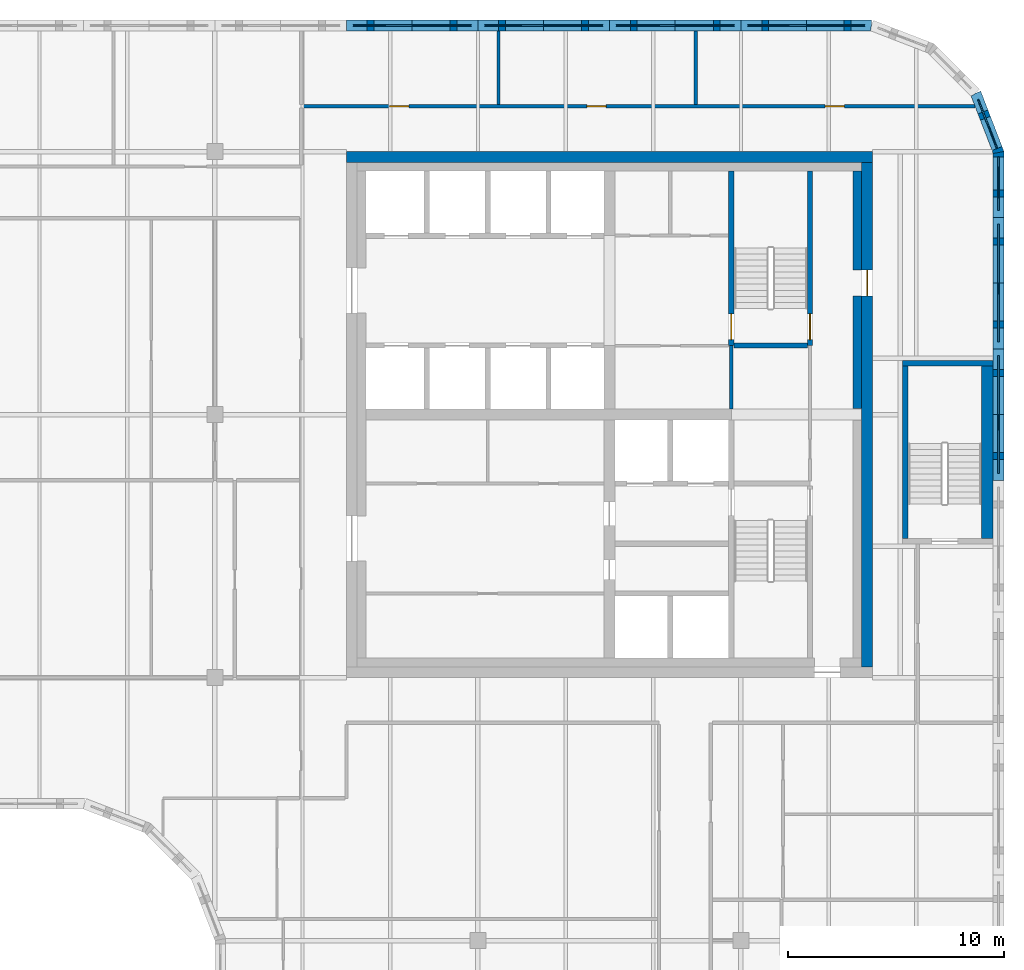
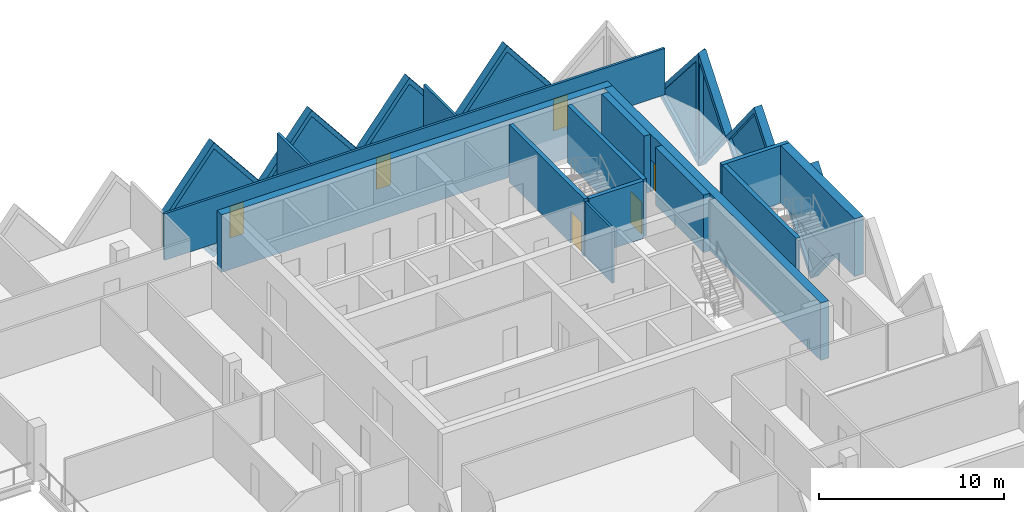
# One storey, part 9 of 11: 22 walls, 8 plates, 6 doors, 14 openings.
"""IFC4 building model written with IfcOpenShell, lengths in metres."""

import ifcopenshell
import ifcopenshell.guid

model = None  # the IFC model being written
_history = None  # IfcOwnerHistory: only IFC2X3 demands one
_inside = {}  # id of a spatial element -> (the spatial element, [elements in it])
_under = {}  # id of a project, library or spatial element -> (it, [spatial elements below it])
_declared = {}  # id of a project -> (the project, [libraries it declares])
_typed = {}  # id of a type object -> (the type object, [elements of that type])
_made_of = {}  # id of a material, layer set ... -> (it, [elements and type objects made of it])


def new_model(schema):
    """Start an empty IFC model of exactly this schema.

    Asked for "IFC4X3", IfcOpenShell would pick the latest addendum, in which some entities
    have other attributes; the version numbers below select the first issue.
    IFC2X3 requires an IfcOwnerHistory on every rooted entity: one is made here for all.
    """
    global model, _history
    if schema == "IFC4X3":
        model = ifcopenshell.file(schema_version=(4, 3, 0, 0))
    else:
        model = ifcopenshell.file(schema=schema)
    _inside.clear()
    _under.clear()
    _declared.clear()
    _typed.clear()
    _made_of.clear()
    _history = None
    if model.schema == "IFC2X3":
        org = make("IfcOrganization", Name="unknown")
        user = make(
            "IfcPersonAndOrganization",
            ThePerson=make("IfcPerson", FamilyName="unknown"),
            TheOrganization=org,
        )
        app = make(
            "IfcApplication",
            ApplicationDeveloper=org,
            Version="unknown",
            ApplicationFullName="unknown",
            ApplicationIdentifier="unknown",
        )
        _history = make(
            "IfcOwnerHistory",
            OwningUser=user,
            OwningApplication=app,
            ChangeAction="ADDED",
            CreationDate=0,
        )
    return model


def make(cls, **values):
    """One entity of the class cls with the attributes given. An attribute that is None is left unset."""
    return model.create_entity(
        cls, **{name: value for name, value in values.items() if value is not None}
    )


def rooted(cls, **values):
    """An entity with a GlobalId (a new one), such as an element, a storey or a relation."""
    return make(cls, GlobalId=ifcopenshell.guid.new(), OwnerHistory=_history, **values)


def si_unit(unit_type, name, prefix=None):
    """IfcSIUnit, for example si_unit("LENGTHUNIT", "METRE", prefix="MILLI")."""
    return make("IfcSIUnit", UnitType=unit_type, Prefix=prefix, Name=name)


def assignment(units):
    """IfcUnitAssignment: the units of a project."""
    return None if units is None else make("IfcUnitAssignment", Units=units)


def point(xyz):
    """IfcCartesianPoint."""
    return None if xyz is None else make("IfcCartesianPoint", Coordinates=xyz)


def direction(xyz):
    """IfcDirection."""
    return None if xyz is None else make("IfcDirection", DirectionRatios=xyz)


def frame(location, z_axis=None, x_axis=None):
    """IfcAxis2Placement3D, a coordinate frame: its origin and axes. An axis left out is left unset."""
    return make(
        "IfcAxis2Placement3D",
        Location=point(location),
        Axis=direction(z_axis),
        RefDirection=direction(x_axis),
    )


def frame_2d(location, x_axis=None):
    """IfcAxis2Placement2D, a coordinate frame in the plane: its origin and x axis."""
    return make(
        "IfcAxis2Placement2D", Location=point(location), RefDirection=direction(x_axis)
    )


def origin():
    """The frame at (0, 0, 0) with its axes left unset."""
    return frame((0.0, 0.0, 0.0))


def place(relative_to, where):
    """IfcLocalPlacement: puts the frame where relative to a parent placement (None: the world)."""
    return make(
        "IfcLocalPlacement", PlacementRelTo=relative_to, RelativePlacement=where
    )


def context(
    kind, dimensions, precision=None, world=None, true_north=None, identifier=None
):
    """IfcGeometricRepresentationContext, for example the 3D "Model" context."""
    return make(
        "IfcGeometricRepresentationContext",
        ContextIdentifier=identifier,
        ContextType=kind,
        CoordinateSpaceDimension=dimensions,
        Precision=precision,
        WorldCoordinateSystem=world,
        TrueNorth=true_north,
    )


def subcontext(parent, identifier, kind, view, scale=None):
    """IfcGeometricRepresentationSubContext, for example "Body" below "Model"."""
    return make(
        "IfcGeometricRepresentationSubContext",
        ContextIdentifier=identifier,
        ContextType=kind,
        ParentContext=parent,
        TargetScale=scale,
        TargetView=view,
    )


def project(units=None, contexts=None):
    """IfcProject with its units and contexts."""
    return rooted(
        "IfcProject",
        Name="project",
        RepresentationContexts=contexts,
        UnitsInContext=assignment(units),
    )


def spatial(cls, under=None, at=None, **own):
    """A site, building, storey or space (cls), placed at a placement, below another one or the project."""
    s = rooted(cls, ObjectPlacement=at, **own)
    if under is not None:
        _under.setdefault(under.id(), (under, []))[1].append(s)
    return s


def polyline(points):
    """IfcPolyline through the points."""
    return make("IfcPolyline", Points=[point(p) for p in points])


def profile(cls, at=None, kind="AREA", **sizes):
    """A parametric profile (cls). Its sizes go by their IFC names, for example OverallWidth=200.0."""
    return make(cls, ProfileType=kind, Position=at, **sizes)


def rectangle(**sizes):
    """IfcRectangleProfileDef."""
    return profile("IfcRectangleProfileDef", **sizes)


def outline(outer, holes=None, kind="AREA"):
    """IfcArbitraryClosedProfileDef: a profile drawn as a closed curve; with holes, ...WithVoids."""
    if holes is None:
        return make("IfcArbitraryClosedProfileDef", ProfileType=kind, OuterCurve=outer)
    return make(
        "IfcArbitraryProfileDefWithVoids",
        ProfileType=kind,
        OuterCurve=outer,
        InnerCurves=holes,
    )


def extrude(swept, where, along, depth):
    """IfcExtrudedAreaSolid: the profile swept, set in the frame where, extruded along a direction by depth."""
    return make(
        "IfcExtrudedAreaSolid",
        SweptArea=swept,
        Position=where,
        ExtrudedDirection=direction(along),
        Depth=depth,
    )


def faces_of(points, faces, orient=None, outer=None):
    """IfcFace entities. A face is a list of loops; a loop is a list of indices into points, from 0.

    orient and outer hold one flag for each loop. By default every Orientation is true, the
    first loop of a face is its IfcFaceOuterBound and the others are IfcFaceBound.
    """
    made = []
    for i, loops in enumerate(faces):
        bounds = []
        for j, loop in enumerate(loops):
            is_outer = j == 0 if outer is None else outer[i][j]
            bounds.append(
                make(
                    "IfcFaceOuterBound" if is_outer else "IfcFaceBound",
                    Bound=make("IfcPolyLoop", Polygon=[points[k] for k in loop]),
                    Orientation=True if orient is None else orient[i][j],
                )
            )
        made.append(make("IfcFace", Bounds=bounds))
    return made


def faceted_brep(points, faces, orient=None, outer=None, voids=None):
    """IfcFacetedBrep: a solid bounded by flat faces; with voids (closed shells), ...WithVoids."""
    shared = [point(p) for p in points]
    hull = make("IfcClosedShell", CfsFaces=faces_of(shared, faces, orient, outer))
    if voids is None:
        return make("IfcFacetedBrep", Outer=hull)
    return make(
        "IfcFacetedBrepWithVoids",
        Outer=hull,
        Voids=[
            make(cls, CfsFaces=faces_of(shared, fs, o, b)) for cls, fs, o, b in voids
        ],
    )


def shape(context_of_items, identifier, shape_type, items):
    """IfcShapeRepresentation: the items that make up one representation, for example the "Body"."""
    return make(
        "IfcShapeRepresentation",
        ContextOfItems=context_of_items,
        RepresentationIdentifier=identifier,
        RepresentationType=shape_type,
        Items=items,
    )


def source(mapping_origin, context_of_items, identifier, shape_type, items):
    """IfcRepresentationMap: a shape defined once, which mapped items show again and again."""
    return make(
        "IfcRepresentationMap",
        MappingOrigin=mapping_origin,
        MappedRepresentation=shape(context_of_items, identifier, shape_type, items),
    )


def transform(
    local_origin,
    x_axis=None,
    y_axis=None,
    z_axis=None,
    scale=None,
    scale2=None,
    scale3=None,
    uniform=True,
):
    """IfcCartesianTransformationOperator3D, or its non-uniform kind. x_axis, y_axis, z_axis: its Axis1, 2, 3."""
    if uniform:
        return make(
            "IfcCartesianTransformationOperator3D",
            Axis1=direction(x_axis),
            Axis2=direction(y_axis),
            LocalOrigin=point(local_origin),
            Scale=scale,
            Axis3=direction(z_axis),
        )
    return make(
        "IfcCartesianTransformationOperator3DnonUniform",
        Axis1=direction(x_axis),
        Axis2=direction(y_axis),
        LocalOrigin=point(local_origin),
        Scale=scale,
        Axis3=direction(z_axis),
        Scale2=scale2,
        Scale3=scale3,
    )


def mapped(mapping_source, mapping_target):
    """IfcMappedItem: shows the shape of a source again, moved by a transform."""
    return make(
        "IfcMappedItem", MappingSource=mapping_source, MappingTarget=mapping_target
    )


def material(Name=None, Category=None):
    """IfcMaterial."""
    return make("IfcMaterial", Name=Name, Category=Category)


def layer(
    of_material, thickness, ventilated=None, Name=None, Category=None, Priority=None
):
    """IfcMaterialLayer: one layer of a wall or slab, of a material (None: an air gap)."""
    return make(
        "IfcMaterialLayer",
        Material=of_material,
        LayerThickness=thickness,
        IsVentilated=ventilated,
        Name=Name,
        Category=Category,
        Priority=Priority,
    )


def layer_set(layers, Name=None):
    """IfcMaterialLayerSet."""
    return make("IfcMaterialLayerSet", MaterialLayers=layers, LayerSetName=Name)


def made_of(thing, what):
    """Note that an element or type object is made of a material, layer set ...; save() writes the relation."""
    if what is not None:
        _made_of.setdefault(what.id(), (what, []))[1].append(thing)
    return thing


def type_object(cls, material=None, **own):
    """A type object (cls), such as IfcWallType, which elements share."""
    return made_of(rooted(cls, **own), material)


def element(
    cls,
    number,
    at=None,
    inside=None,
    cuts=None,
    type_object=None,
    material=None,
    context=None,
    identifier="Body",
    shape_type=None,
    held_by="IfcProductDefinitionShape",
    body=None,
    shapes=None,
    **own,
):
    """One element of the class cls, such as IfcWall. Its Tag is "e" and its number.

    at: its placement. inside: the storey or other place that contains it. cuts: it is an
    opening in that element (IfcRelVoidsElement). A single representation is given by context,
    identifier, shape_type and body (its items); several are given by shapes. held_by: the class
    of the entity that holds the representations. save() writes the other relations.
    """
    e = rooted(cls, Tag="e%d" % number, ObjectPlacement=at, **own)
    if body is not None:
        shapes = [shape(context, identifier, shape_type, body)]
    if shapes is not None:
        e.Representation = make(held_by, Representations=shapes)
    if inside is not None:
        _inside.setdefault(inside.id(), (inside, []))[1].append(e)
    if cuts is not None:
        rooted(
            "IfcRelVoidsElement", RelatingBuildingElement=cuts, RelatedOpeningElement=e
        )
    if type_object is not None:
        _typed.setdefault(type_object.id(), (type_object, []))[1].append(e)
    return made_of(e, material)


def fill(opening, filler):
    """IfcRelFillsElement: the door or window that sits in an opening."""
    return rooted(
        "IfcRelFillsElement",
        RelatingOpeningElement=opening,
        RelatedBuildingElement=filler,
    )


def aggregate(whole, parts):
    """IfcRelAggregates: a whole, such as a stair, and the parts it consists of."""
    return rooted("IfcRelAggregates", RelatingObject=whole, RelatedObjects=parts)


def save(model, path):
    """Write the relations noted so far, then the file.

    IfcRelAggregates (storeys below a building ...), IfcRelContainedInSpatialStructure (elements
    in a storey), IfcRelDefinesByType, IfcRelAssociatesMaterial and IfcRelDeclares: one each for
    every whole, place, type object, material and project.
    """
    for whole, parts in _under.values():
        aggregate(whole, parts)
    for where, things in _inside.values():
        rooted(
            "IfcRelContainedInSpatialStructure",
            RelatedElements=things,
            RelatingStructure=where,
        )
    for kind, things in _typed.values():
        rooted("IfcRelDefinesByType", RelatedObjects=things, RelatingType=kind)
    for what, things in _made_of.values():
        rooted("IfcRelAssociatesMaterial", RelatedObjects=things, RelatingMaterial=what)
    for by, libraries in _declared.values():
        rooted("IfcRelDeclares", RelatingContext=by, RelatedDefinitions=libraries)
    model.write(path)


model = new_model("IFC4")

# Units and contexts
model_context = context("Model", 3, precision=1e-05, world=origin(), true_north=direction((0.0, 1.0)))
body_context = subcontext(model_context, "Body", "Model", "MODEL_VIEW")
ifc_project = project(units=[si_unit("LENGTHUNIT", "METRE"), si_unit("AREAUNIT", "SQUARE_METRE"), si_unit("VOLUMEUNIT", "CUBIC_METRE"), si_unit("PLANEANGLEUNIT", "RADIAN"), si_unit("MASSUNIT", "GRAM", prefix="KILO")], contexts=[model_context])

# Site, building, storey
site_placement = place(None, origin())
site = spatial("IfcSite", under=ifc_project, at=site_placement, CompositionType="ELEMENT")
building_placement = place(site_placement, origin())
building = spatial("IfcBuilding", under=site, at=building_placement, Name="Tessera Gate Towers", CompositionType="ELEMENT")
storey_placement = place(building_placement, frame((0.0, 0.0, 201.699951171875)))
storey = spatial("IfcBuildingStorey", under=building, at=storey_placement, Name="L50", CompositionType="ELEMENT", Elevation=201.699951171875)

# Wall, opening, door
ifc_material_1 = material(Name="Concrete C40/50", Category="concrete")
ifc_layer_1 = layer(ifc_material_1, 0.25)
ifc_layer_set_1 = layer_set([ifc_layer_1], Name="CORE ENCLOSURE WALL 250")
wall_type_1 = type_object("IfcWallType", Name="CORE ENCLOSURE WALL 250", PredefinedType="SOLIDWALL", material=ifc_layer_set_1)
wall_1_placement = place(storey_placement, frame((48.35009765625, 47.89990234375, 0.0), z_axis=(0.0, 0.0, 1.0), x_axis=(0.0, -1.0, 0.0)))
wall_1 = element("IfcWall", 1, at=wall_1_placement, inside=storey, type_object=wall_type_1, Name="L50 shaft and stair enclosure wall", PredefinedType="SOLIDWALL", context=body_context, shape_type="SweptSolid", body=[
    extrude(rectangle(XDim=8.099853515625, YDim=0.25, at=frame_2d((4.0498046875, 0.0))), origin(), (0.0, 0.0, 1.0), 3.800048828125),
])
shared_shape_1 = source(origin(), body_context, "Body", "SweptSolid", [
    extrude(rectangle(XDim=1.199951171875, YDim=2.10009765625, at=frame_2d((0.60009765625, 1.050048828125))), frame((0.0, 0.135009765625, 0.0), z_axis=(0.0, -1.0, 0.0), x_axis=(1.0, 0.0, 0.0)), (0.0, 0.0, 1.0), 0.27001953125),
])
opening_1_placement = place(wall_1_placement, frame((6.625, 0.0, 0.0)))
opening_1 = element("IfcOpeningElement", 2, at=opening_1_placement, cuts=wall_1, Name="Opening SD-ST2-1", PredefinedType="OPENING", context=body_context, shape_type="MappedRepresentation", body=[
    mapped(shared_shape_1, transform((0.0, 0.0, 0.0), scale=1.0)),
])
ifc_material_2 = material(Name="Hollow steel fire door", Category="steel")
door_type_1 = type_object("IfcDoorType", Name="CORE DOOR SD 1200x2100", OperationType="NOTDEFINED", PredefinedType="DOOR", material=ifc_material_2)
shared_shape_2 = source(origin(), body_context, "Body", "SweptSolid", [
    extrude(rectangle(XDim=1.199951171875, YDim=2.10009765625, at=frame_2d((0.60009765625, 1.050048828125))), frame((0.0, 0.02490234375, 0.0), z_axis=(0.0, -1.0, 0.0), x_axis=(1.0, 0.0, 0.0)), (0.0, 0.0, 1.0), 0.050048828125),
])
door_1_placement = place(opening_1_placement, origin())
door_1 = element("IfcDoor", 3, at=door_1_placement, inside=storey, type_object=door_type_1, Name="Stair door", OperationType="SINGLE_SWING_RIGHT", OverallHeight=2.10009765625, OverallWidth=1.199951171875, PredefinedType="DOOR", context=body_context, shape_type="MappedRepresentation", body=[
    mapped(shared_shape_2, transform((0.0, 0.0, 0.0), scale=1.0)),
])
fill(opening_1, door_1)

wall_2_placement = place(storey_placement, frame((52.0, 39.800048828125, 0.0), z_axis=(0.0, 0.0, 1.0), x_axis=(0.0, 1.0, 0.0)))
wall_2 = element("IfcWall", 4, at=wall_2_placement, inside=storey, type_object=wall_type_1, Name="L50 shaft and stair enclosure wall", PredefinedType="SOLIDWALL", context=body_context, shape_type="SweptSolid", body=[
    extrude(rectangle(XDim=8.099853515625, YDim=0.25, at=frame_2d((4.0498046875, 0.0))), origin(), (0.0, 0.0, 1.0), 3.800048828125),
])
opening_2_placement = place(wall_2_placement, frame((0.27490234375, 0.0, 0.0)))
opening_2 = element("IfcOpeningElement", 5, at=opening_2_placement, cuts=wall_2, Name="Opening SD-ST2-2", PredefinedType="OPENING", context=body_context, shape_type="MappedRepresentation", body=[
    mapped(shared_shape_1, transform((0.0, 0.0, 0.0), scale=1.0)),
])
door_2_placement = place(opening_2_placement, origin())
door_2 = element("IfcDoor", 6, at=door_2_placement, inside=storey, type_object=door_type_1, Name="Stair door", OperationType="SINGLE_SWING_LEFT", OverallHeight=2.10009765625, OverallWidth=1.199951171875, PredefinedType="DOOR", context=body_context, shape_type="MappedRepresentation", body=[
    mapped(shared_shape_2, transform((0.0, 0.0, 0.0), scale=1.0)),
])
fill(opening_2, door_2)

# Walls
wall_3_placement = place(storey_placement, frame((48.47509765625, 39.800048828125, 0.0), z_axis=(0.0, 0.0, 1.0), x_axis=(1.0, 0.0, 0.0)))
element("IfcWall", 7, at=wall_3_placement, inside=storey, type_object=wall_type_1, Name="L50 shaft and stair enclosure wall", PredefinedType="SOLIDWALL", context=body_context, shape_type="SweptSolid", body=[
    extrude(rectangle(XDim=3.39990234375, YDim=0.25, at=frame_2d((1.699951171875, 0.0))), origin(), (0.0, 0.0, 1.0), 3.800048828125),
])
wall_4_placement = place(storey_placement, frame((56.425048828125, 30.85009765625, 0.0), z_axis=(0.0, 0.0, 1.0), x_axis=(0.0, 1.0, 0.0)))
element("IfcWall", 8, at=wall_4_placement, inside=storey, type_object=wall_type_1, Name="L50 ST5 enclosure wall", PredefinedType="SOLIDWALL", context=body_context, shape_type="SweptSolid", body=[
    extrude(rectangle(XDim=8.0, YDim=0.25, at=frame_2d((4.0, 0.0))), origin(), (0.0, 0.0, 1.0), 3.800048828125),
])
wall_5_placement = place(storey_placement, frame((56.300048828125, 38.97509765625, 0.0), z_axis=(0.0, 0.0, 1.0), x_axis=(1.0, 0.0, 0.0)))
element("IfcWall", 9, at=wall_5_placement, inside=storey, type_object=wall_type_1, Name="L50 ST5 enclosure wall", PredefinedType="SOLIDWALL", context=body_context, shape_type="SweptSolid", body=[
    extrude(rectangle(XDim=4.199951171875, YDim=0.25, at=frame_2d((2.10009765625, 0.0))), origin(), (0.0, 0.0, 1.0), 3.800048828125),
])
ifc_material_3 = material(Name="Concrete C40/50", Category="concrete")
ifc_layer_2 = layer(ifc_material_3, 0.550048828125)
ifc_layer_set_2 = layer_set([ifc_layer_2], Name="CORE ENCLOSURE WALL 550")
wall_type_2 = type_object("IfcWallType", Name="CORE ENCLOSURE WALL 550", PredefinedType="SOLIDWALL", material=ifc_layer_set_2)
wall_6_placement = place(storey_placement, frame((60.22509765625, 38.85009765625, 0.0), z_axis=(0.0, 0.0, 1.0), x_axis=(0.0, -1.0, 0.0)))
element("IfcWall", 10, at=wall_6_placement, inside=storey, type_object=wall_type_2, Name="L50 ST5 enclosure wall", PredefinedType="SOLIDWALL", context=body_context, shape_type="SweptSolid", body=[
    extrude(rectangle(XDim=8.0, YDim=0.550048828125, at=frame_2d((4.0, 0.0))), origin(), (0.0, 0.0, 1.0), 3.800048828125),
])
ifc_material_4 = material(Name="Concrete C50/60", Category="concrete")
ifc_layer_3 = layer(ifc_material_4, 0.5)
ifc_layer_set_3 = layer_set([ifc_layer_3], Name="CORE SHEAR WALL 500 C50/60")
wall_type_3 = type_object("IfcWallType", Name="CORE SHEAR WALL 500 C50/60", PredefinedType="SHEAR", material=ifc_layer_set_3)
wall_7_placement = place(storey_placement, frame((30.5, 48.550048828125, 0.0), z_axis=(0.0, 0.0, 1.0), x_axis=(1.0, 0.0, 0.0)))
element("IfcWall", 11, at=wall_7_placement, inside=storey, type_object=wall_type_3, Name="Core wall N L50", PredefinedType="SHEAR", context=body_context, shape_type="SweptSolid", body=[
    extrude(rectangle(XDim=24.39990234375, YDim=0.5, at=frame_2d((12.199951171875, 0.0))), origin(), (0.0, 0.0, 1.0), 3.800048828125),
])

# Wall, opening, door
wall_8_placement = place(storey_placement, frame((54.64990234375, 48.300048828125, 0.0), z_axis=(0.0, 0.0, 1.0), x_axis=(0.0, -1.0, 0.0)))
wall_8 = element("IfcWall", 12, at=wall_8_placement, inside=storey, type_object=wall_type_3, Name="Core wall E L50", PredefinedType="SHEAR", context=body_context, shape_type="SweptSolid", body=[
    extrude(rectangle(XDim=23.400146484375, YDim=0.5, at=frame_2d((11.7001953125, 0.0))), origin(), (0.0, 0.0, 1.0), 3.800048828125),
])
shared_shape_3 = source(origin(), body_context, "Body", "SweptSolid", [
    extrude(rectangle(XDim=1.199951171875, YDim=2.10009765625, at=frame_2d((0.60009765625, 1.050048828125))), frame((0.0, 0.260009765625, 0.0), z_axis=(0.0, -1.0, 0.0), x_axis=(1.0, 0.0, 0.0)), (0.0, 0.0, 1.0), 0.52001953125),
])
opening_3_placement = place(wall_8_placement, frame((5.0, 0.0, 0.0)))
opening_3 = element("IfcOpeningElement", 13, at=opening_3_placement, cuts=wall_8, Name="Opening ED-T1-31-04", PredefinedType="OPENING", context=body_context, shape_type="MappedRepresentation", body=[
    mapped(shared_shape_3, transform((0.0, 0.0, 0.0), scale=1.0)),
])
ifc_material_5 = material(Name="Hollow steel fire door", Category="steel")
door_type_2 = type_object("IfcDoorType", Name="CORE DOOR ED 1200x2100", OperationType="NOTDEFINED", PredefinedType="DOOR", material=ifc_material_5)
door_3_placement = place(opening_3_placement, origin())
door_3 = element("IfcDoor", 14, at=door_3_placement, inside=storey, type_object=door_type_2, Name="Core exit door", OperationType="SINGLE_SWING_LEFT", OverallHeight=2.10009765625, OverallWidth=1.199951171875, PredefinedType="DOOR", context=body_context, shape_type="MappedRepresentation", body=[
    mapped(shared_shape_2, transform((0.0, 0.0, 0.0), scale=1.0)),
])
fill(opening_3, door_3)

# Walls
ifc_material_6 = material(Name="Concrete C50/60", Category="concrete")
ifc_layer_4 = layer(ifc_material_6, 0.39990234375)
ifc_layer_set_4 = layer_set([ifc_layer_4], Name="CORE WALL THICKENING 400")
wall_type_4 = type_object("IfcWallType", Name="CORE WALL THICKENING 400", PredefinedType="SOLIDWALL", material=ifc_layer_set_4)
wall_9_placement = place(storey_placement, frame((54.199951171875, 36.8798828125, 0.0), z_axis=(0.0, 0.0, 1.0), x_axis=(0.0, 1.0, 0.0)))
element("IfcWall", 15, at=wall_9_placement, inside=storey, type_object=wall_type_4, Name="Core wall thickening E L50", PredefinedType="SOLIDWALL", context=body_context, shape_type="SweptSolid", body=[
    extrude(rectangle(XDim=5.22021484375, YDim=0.39990234375, at=frame_2d((2.610107421875, 0.0))), origin(), (0.0, 0.0, 1.0), 3.800048828125),
])
wall_10_placement = place(storey_placement, frame((54.199951171875, 43.300048828125, 0.0), z_axis=(0.0, 0.0, 1.0), x_axis=(0.0, 1.0, 0.0)))
element("IfcWall", 16, at=wall_10_placement, inside=storey, type_object=wall_type_4, Name="Core wall thickening E L50", PredefinedType="SOLIDWALL", context=body_context, shape_type="SweptSolid", body=[
    extrude(rectangle(XDim=4.599853515625, YDim=0.39990234375, at=frame_2d((2.2998046875, 0.0))), origin(), (0.0, 0.0, 1.0), 3.800048828125),
])

# Wall, openings, doors
ifc_material_7 = material(Name="Gypsum board on steel studs, mineral wool", Category="steel")
ifc_layer_5 = layer(ifc_material_7, 0.14990234375)
ifc_layer_set_5 = layer_set([ifc_layer_5], Name="CORRIDOR WALL 150")
wall_type_5 = type_object("IfcWallType", Name="CORRIDOR WALL 150", PredefinedType="PARTITIONING", material=ifc_layer_set_5)
wall_11_placement = place(storey_placement, frame((28.39990234375, 50.89990234375, 0.0), z_axis=(0.0, 0.0, 1.0), x_axis=(1.0, 0.0, 0.0)))
wall_11 = element("IfcWall", 17, at=wall_11_placement, inside=storey, type_object=wall_type_5, Name="T1-L50-PW-047", PredefinedType="PARTITIONING", context=body_context, shape_type="SweptSolid", body=[
    extrude(rectangle(XDim=31.254150390625, YDim=0.14990234375, at=frame_2d((15.626953125, 0.0))), origin(), (0.0, 0.0, 1.0), 3.067138671875),
])
shared_shape_4 = source(origin(), body_context, "Body", "SweptSolid", [
    extrude(rectangle(XDim=0.89990234375, YDim=2.10009765625, at=frame_2d((0.449951171875, 1.050048828125))), frame((0.0, 0.0849609375, 0.0), z_axis=(0.0, -1.0, 0.0), x_axis=(1.0, 0.0, 0.0)), (0.0, 0.0, 1.0), 0.169921875),
])
opening_4_placement = place(wall_11_placement, frame((4.10009765625, 0.0, 0.0)))
opening_4 = element("IfcOpeningElement", 18, at=opening_4_placement, cuts=wall_11, Name="Opening D890FD60-A18-05", PredefinedType="OPENING", context=body_context, shape_type="MappedRepresentation", body=[
    mapped(shared_shape_4, transform((0.0, 0.0, 0.0), scale=1.0)),
])
opening_5_placement = place(wall_11_placement, frame((13.25, 0.0, 0.0)))
opening_5 = element("IfcOpeningElement", 19, at=opening_5_placement, cuts=wall_11, Name="Opening D890FD60-A18-06", PredefinedType="OPENING", context=body_context, shape_type="MappedRepresentation", body=[
    mapped(shared_shape_4, transform((0.0, 0.0, 0.0), scale=1.0)),
])
opening_6_placement = place(wall_11_placement, frame((24.300048828125, 0.0, 0.0)))
opening_6 = element("IfcOpeningElement", 20, at=opening_6_placement, cuts=wall_11, Name="Opening D890FD60-A18-07", PredefinedType="OPENING", context=body_context, shape_type="MappedRepresentation", body=[
    mapped(shared_shape_4, transform((0.0, 0.0, 0.0), scale=1.0)),
])
ifc_material_8 = material(Name="Timber door leaf in steel frame", Category="steel")
door_type_3 = type_object("IfcDoorType", Name="CORRIDOR DOOR 900 FD60", OperationType="NOTDEFINED", PredefinedType="DOOR", material=ifc_material_8)
shared_shape_5 = source(origin(), body_context, "Body", "SweptSolid", [
    extrude(rectangle(XDim=0.89990234375, YDim=2.10009765625, at=frame_2d((0.449951171875, 1.050048828125))), frame((0.0, 0.02490234375, 0.0), z_axis=(0.0, -1.0, 0.0), x_axis=(1.0, 0.0, 0.0)), (0.0, 0.0, 1.0), 0.050048828125),
])
door_4_placement = place(opening_4_placement, origin())
door_4 = element("IfcDoor", 21, at=door_4_placement, inside=storey, type_object=door_type_3, Name="T1-L50-PD-017", OperationType="SINGLE_SWING_LEFT", OverallHeight=2.10009765625, OverallWidth=0.89990234375, PredefinedType="DOOR", context=body_context, shape_type="MappedRepresentation", body=[
    mapped(shared_shape_5, transform((0.0, 0.0, 0.0), scale=1.0)),
])
fill(opening_4, door_4)
door_5_placement = place(opening_5_placement, origin())
door_5 = element("IfcDoor", 22, at=door_5_placement, inside=storey, type_object=door_type_3, Name="T1-L50-PD-019", OperationType="SINGLE_SWING_LEFT", OverallHeight=2.10009765625, OverallWidth=0.89990234375, PredefinedType="DOOR", context=body_context, shape_type="MappedRepresentation", body=[
    mapped(shared_shape_5, transform((0.0, 0.0, 0.0), scale=1.0)),
])
fill(opening_5, door_5)
door_6_placement = place(opening_6_placement, origin())
door_6 = element("IfcDoor", 23, at=door_6_placement, inside=storey, type_object=door_type_3, Name="T1-L50-PD-026", OperationType="SINGLE_SWING_LEFT", OverallHeight=2.10009765625, OverallWidth=0.89990234375, PredefinedType="DOOR", context=body_context, shape_type="MappedRepresentation", body=[
    mapped(shared_shape_5, transform((0.0, 0.0, 0.0), scale=1.0)),
])
fill(opening_6, door_6)

# Walls
ifc_material_9 = material(Name="Gypsum board on steel studs", Category="steel")
ifc_layer_6 = layer(ifc_material_9, 0.14990234375)
ifc_layer_set_6 = layer_set([ifc_layer_6], Name="SERVICE ROOM WALL 150")
wall_type_6 = type_object("IfcWallType", Name="SERVICE ROOM WALL 150", PredefinedType="PARTITIONING", material=ifc_layer_set_6)
wall_12_placement = place(storey_placement, frame((48.35009765625, 36.85009765625, 0.0), z_axis=(0.0, 0.0, 1.0), x_axis=(0.0, 1.0, 0.0)))
element("IfcWall", 24, at=wall_12_placement, inside=storey, type_object=wall_type_6, Name="L50 service room wall", PredefinedType="PARTITIONING", context=body_context, shape_type="SweptSolid", body=[
    extrude(rectangle(XDim=2.949951171875, YDim=0.14990234375, at=frame_2d((1.47509765625, 0.0))), origin(), (0.0, 0.0, 1.0), 3.60009765625),
])
ifc_material_10 = material(Name="Gypsum board on steel studs, mineral wool", Category="steel")
ifc_layer_7 = layer(ifc_material_10, 0.14990234375)
ifc_layer_set_7 = layer_set([ifc_layer_7], Name="TENANCY WALL 150")
wall_type_7 = type_object("IfcWallType", Name="TENANCY WALL 150", PredefinedType="PARTITIONING", material=ifc_layer_set_7)
for number, where, z_axis, x_axis, name in (
    (25, (37.550048828125, 50.97607421875, 0.0), (0.0, 0.0, 1.0), (0.0, 1.0, 0.0), "T1-L50-PW-049"),
    (26, (46.699951171875, 50.97607421875, 0.0), (0.0, 0.0, 1.0), (0.0, 1.0, 0.0), "T1-L50-PW-050"),
):
    element("IfcWall", number, at=place(storey_placement, frame(where, z_axis=z_axis, x_axis=x_axis)), inside=storey, type_object=wall_type_7, Name=name, PredefinedType="PARTITIONING", context=body_context, shape_type="SweptSolid", body=[
        extrude(rectangle(XDim=3.423828125, YDim=0.14990234375, at=frame_2d((1.7119140625, 0.0))), origin(), (0.0, 0.0, 1.0), 3.067138671875),
    ])

# Wall, opening, plate
ifc_material_11 = material(Name="Precast concrete C60/75 white", Category="concrete")
ifc_layer_8 = layer(ifc_material_11, 0.5)
ifc_layer_set_8 = layer_set([ifc_layer_8], Name="TS1 tessera")
wall_type_8 = type_object("IfcWallType", Name="TS1 tessera", PredefinedType="SOLIDWALL", material=ifc_layer_set_8)
shared_shape_6 = source(origin(), body_context, "Body", "Brep", [
    faceted_brep([(3.00341796875, -0.25, 0.0), (6.053466796875, -0.25, 3.800048828125), (3.00341796875, -0.25, 7.60009765625), (0.0, -0.25, 3.800048828125), (0.046630859375, 0.25, 3.85888671875), (3.00341796875, 0.25, 7.60009765625), (6.053466796875, 0.25, 3.800048828125), (3.00341796875, 0.25, 0.0), (0.046630859375, 0.25, 3.7412109375), (0.0, 0.0, 3.800048828125)], [[[0, 1, 2, 3]], [[4, 5, 6, 7, 8]], [[7, 6, 1, 0]], [[6, 5, 2, 1]], [[5, 4, 9, 3, 2]], [[8, 7, 0, 3, 9]], [[8, 9, 4]]]),
])
wall_13_placement = place(storey_placement, frame((54.853515625, 54.64990234375, -3.800048828125), z_axis=(0.0, 0.0, 1.0), x_axis=(-1.0, 0.0, 0.0)))
wall_13 = element("IfcWall", 27, at=wall_13_placement, inside=storey, type_object=wall_type_8, Name="Precast tessera T1 TS1-0861", PredefinedType="SOLIDWALL", context=body_context, shape_type="MappedRepresentation", body=[
    mapped(shared_shape_6, transform((0.0, 0.0, 0.0), scale=1.0)),
])
shared_shape_7 = source(origin(), body_context, "Body", "SweptSolid", [
    extrude(outline(polyline([(3.0048828125, 0.4013671875), (5.73291015625, 3.800048828125), (3.0048828125, 7.19873046875), (0.318603515625, 3.800048828125), (3.0048828125, 0.4013671875)])), frame((0.0, 0.260009765625, 0.0), z_axis=(0.0, -1.0, 0.0), x_axis=(1.0, 0.0, 0.0)), (0.0, 0.0, 1.0), 0.52001953125),
])
opening_7_placement = place(wall_13_placement, origin())
opening_7 = element("IfcOpeningElement", 28, at=opening_7_placement, cuts=wall_13, Name="Opening T1-PL2-1757", PredefinedType="OPENING", context=body_context, shape_type="MappedRepresentation", body=[
    mapped(shared_shape_7, transform((0.0, 0.0, 0.0), scale=1.0)),
])
ifc_material_12 = material(Name="Low-e laminated glass", Category="glass")
ifc_layer_9 = layer(ifc_material_12, 0.06005859375)
ifc_layer_set_9 = layer_set([ifc_layer_9], Name="PL2 rhombic pane")
plate_type = type_object("IfcPlateType", Name="PL2 rhombic pane", PredefinedType="SHEET", material=ifc_layer_set_9)
shared_shape_8 = source(origin(), body_context, "Body", "SweptSolid", [
    extrude(outline(polyline([(3.0048828125, 0.4013671875), (5.73291015625, 3.800048828125), (3.0048828125, 7.19873046875), (0.318603515625, 3.800048828125), (3.0048828125, 0.4013671875)])), frame((0.0, 0.030029296875, 0.0), z_axis=(0.0, -1.0, 0.0), x_axis=(1.0, 0.0, 0.0)), (0.0, 0.0, 1.0), 0.06005859375),
])
plate_1_placement = place(opening_7_placement, origin())
plate_1 = element("IfcPlate", 29, at=plate_1_placement, inside=storey, type_object=plate_type, Name="Glass pane T1 PL2-1757", PredefinedType="SHEET", context=body_context, shape_type="MappedRepresentation", body=[
    mapped(shared_shape_8, transform((0.0, 0.0, 0.0), scale=1.0)),
])
fill(opening_7, plate_1)

shared_shape_9 = source(origin(), body_context, "Body", "Brep", [
    faceted_brep([(3.050048828125, -0.25, 0.0), (6.099853515625, -0.25, 3.7998046875), (6.099853515625, -0.25, 3.80029296875), (3.050048828125, -0.25, 7.60009765625), (0.0, -0.25, 3.800048828125), (0.0, 0.25, 3.800048828125), (3.050048828125, 0.25, 7.60009765625), (6.099853515625, 0.25, 3.80029296875), (6.099853515625, 0.25, 3.7998046875), (3.050048828125, 0.25, 0.0)], [[[0, 1, 2, 3, 4]], [[5, 6, 7, 8, 9]], [[9, 8, 1, 0]], [[7, 6, 3, 2]], [[6, 5, 4, 3]], [[5, 9, 0, 4]], [[1, 8, 7, 2]]]),
])
wall_14_placement = place(storey_placement, frame((60.75, 33.550048828125, -3.800048828125), z_axis=(0.0, 0.0, 1.0), x_axis=(0.0, 1.0, 0.0)))
wall_14 = element("IfcWall", 30, at=wall_14_placement, inside=storey, type_object=wall_type_8, Name="Precast tessera T1 TS1-0859", PredefinedType="SOLIDWALL", context=body_context, shape_type="MappedRepresentation", body=[
    mapped(shared_shape_9, transform((0.0, 0.0, 0.0), scale=1.0)),
])
shared_shape_10 = source(origin(), body_context, "Body", "SweptSolid", [
    extrude(outline(polyline([(3.050048828125, 0.3994140625), (5.779541015625, 3.800048828125), (3.050048828125, 7.20068359375), (0.320556640625, 3.800048828125), (3.050048828125, 0.3994140625)])), frame((0.0, 0.260009765625, 0.0), z_axis=(0.0, -1.0, 0.0), x_axis=(1.0, 0.0, 0.0)), (0.0, 0.0, 1.0), 0.52001953125),
])
opening_8_placement = place(wall_14_placement, origin())
opening_8 = element("IfcOpeningElement", 31, at=opening_8_placement, cuts=wall_14, Name="Opening T1-PL2-1751", PredefinedType="OPENING", context=body_context, shape_type="MappedRepresentation", body=[
    mapped(shared_shape_10, transform((0.0, 0.0, 0.0), scale=1.0)),
])
shared_shape_11 = source(origin(), body_context, "Body", "SweptSolid", [
    extrude(outline(polyline([(3.050048828125, 0.3994140625), (5.779541015625, 3.800048828125), (3.050048828125, 7.20068359375), (0.320556640625, 3.800048828125), (3.050048828125, 0.3994140625)])), frame((0.0, 0.030029296875, 0.0), z_axis=(0.0, -1.0, 0.0), x_axis=(1.0, 0.0, 0.0)), (0.0, 0.0, 1.0), 0.06005859375),
])
plate_2_placement = place(opening_8_placement, origin())
plate_2 = element("IfcPlate", 32, at=plate_2_placement, inside=storey, type_object=plate_type, Name="Glass pane T1 PL2-1751", PredefinedType="SHEET", context=body_context, shape_type="MappedRepresentation", body=[
    mapped(shared_shape_11, transform((0.0, 0.0, 0.0), scale=1.0)),
])
fill(opening_8, plate_2)

wall_15_placement = place(storey_placement, frame((42.699951171875, 54.64990234375, -3.800048828125), z_axis=(0.0, 0.0, 1.0), x_axis=(-1.0, 0.0, 0.0)))
wall_15 = element("IfcWall", 33, at=wall_15_placement, inside=storey, type_object=wall_type_8, Name="Precast tessera T1 TS1-0863", PredefinedType="SOLIDWALL", context=body_context, shape_type="MappedRepresentation", body=[
    mapped(shared_shape_9, transform((0.0, 0.0, 0.0), scale=1.0)),
])
opening_9_placement = place(wall_15_placement, origin())
opening_9 = element("IfcOpeningElement", 34, at=opening_9_placement, cuts=wall_15, Name="Opening T1-PL2-1759", PredefinedType="OPENING", context=body_context, shape_type="MappedRepresentation", body=[
    mapped(shared_shape_10, transform((0.0, 0.0, 0.0), scale=1.0)),
])
plate_3_placement = place(opening_9_placement, origin())
plate_3 = element("IfcPlate", 35, at=plate_3_placement, inside=storey, type_object=plate_type, Name="Glass pane T1 PL2-1759", PredefinedType="SHEET", context=body_context, shape_type="MappedRepresentation", body=[
    mapped(shared_shape_11, transform((0.0, 0.0, 0.0), scale=1.0)),
])
fill(opening_9, plate_3)

shared_shape_12 = source(origin(), body_context, "Body", "SweptSolid", [
    extrude(outline(polyline([(3.050048828125, 0.0), (6.10009765625, 3.800048828125), (3.050048828125, 7.60009765625), (0.0, 3.800048828125), (3.050048828125, 0.0)])), frame((0.0, 0.25, 0.0), z_axis=(0.0, -1.0, 0.0), x_axis=(1.0, 0.0, 0.0)), (0.0, 0.0, 1.0), 0.5),
])
wall_16_placement = place(storey_placement, frame((60.75, 39.64990234375, -3.800048828125), z_axis=(0.0, 0.0, 1.0), x_axis=(0.0, 1.0, 0.0)))
wall_16 = element("IfcWall", 36, at=wall_16_placement, inside=storey, type_object=wall_type_8, Name="Precast tessera T1 TS1-0860", PredefinedType="SOLIDWALL", context=body_context, shape_type="MappedRepresentation", body=[
    mapped(shared_shape_12, transform((0.0, 0.0, 0.0), scale=1.0)),
])
opening_10_placement = place(wall_16_placement, origin())
opening_10 = element("IfcOpeningElement", 37, at=opening_10_placement, cuts=wall_16, Name="Opening T1-PL2-1752", PredefinedType="OPENING", context=body_context, shape_type="MappedRepresentation", body=[
    mapped(shared_shape_10, transform((0.0, 0.0, 0.0), scale=1.0)),
])
plate_4_placement = place(opening_10_placement, origin())
plate_4 = element("IfcPlate", 38, at=plate_4_placement, inside=storey, type_object=plate_type, Name="Glass pane T1 PL2-1752", PredefinedType="SHEET", context=body_context, shape_type="MappedRepresentation", body=[
    mapped(shared_shape_11, transform((0.0, 0.0, 0.0), scale=1.0)),
])
fill(opening_10, plate_4)

wall_17_placement = place(storey_placement, frame((48.800048828125, 54.64990234375, -3.800048828125), z_axis=(0.0, 0.0, 1.0), x_axis=(-1.0, 0.0, 0.0)))
wall_17 = element("IfcWall", 39, at=wall_17_placement, inside=storey, type_object=wall_type_8, Name="Precast tessera T1 TS1-0862", PredefinedType="SOLIDWALL", context=body_context, shape_type="MappedRepresentation", body=[
    mapped(shared_shape_12, transform((0.0, 0.0, 0.0), scale=1.0)),
])
opening_11_placement = place(wall_17_placement, origin())
opening_11 = element("IfcOpeningElement", 40, at=opening_11_placement, cuts=wall_17, Name="Opening T1-PL2-1758", PredefinedType="OPENING", context=body_context, shape_type="MappedRepresentation", body=[
    mapped(shared_shape_10, transform((0.0, 0.0, 0.0), scale=1.0)),
])
plate_5_placement = place(opening_11_placement, origin())
plate_5 = element("IfcPlate", 41, at=plate_5_placement, inside=storey, type_object=plate_type, Name="Glass pane T1 PL2-1758", PredefinedType="SHEET", context=body_context, shape_type="MappedRepresentation", body=[
    mapped(shared_shape_11, transform((0.0, 0.0, 0.0), scale=1.0)),
])
fill(opening_11, plate_5)

wall_18_placement = place(storey_placement, frame((36.60009765625, 54.64990234375, -3.800048828125), z_axis=(0.0, 0.0, 1.0), x_axis=(-1.0, 0.0, 0.0)))
wall_18 = element("IfcWall", 42, at=wall_18_placement, inside=storey, type_object=wall_type_8, Name="Precast tessera T1 TS1-0864", PredefinedType="SOLIDWALL", context=body_context, shape_type="MappedRepresentation", body=[
    mapped(shared_shape_12, transform((0.0, 0.0, 0.0), scale=1.0)),
])
opening_12_placement = place(wall_18_placement, origin())
opening_12 = element("IfcOpeningElement", 43, at=opening_12_placement, cuts=wall_18, Name="Opening T1-PL2-1760", PredefinedType="OPENING", context=body_context, shape_type="MappedRepresentation", body=[
    mapped(shared_shape_10, transform((0.0, 0.0, 0.0), scale=1.0)),
])
plate_6_placement = place(opening_12_placement, origin())
plate_6 = element("IfcPlate", 44, at=plate_6_placement, inside=storey, type_object=plate_type, Name="Glass pane T1 PL2-1760", PredefinedType="SHEET", context=body_context, shape_type="MappedRepresentation", body=[
    mapped(shared_shape_11, transform((0.0, 0.0, 0.0), scale=1.0)),
])
fill(opening_12, plate_6)

ifc_material_13 = material(Name="Precast concrete C60/75 white", Category="concrete")
ifc_layer_10 = layer(ifc_material_13, 0.5)
ifc_layer_set_10 = layer_set([ifc_layer_10], Name="TS3 corner tessera")
wall_type_9 = type_object("IfcWallType", Name="TS3 corner tessera", PredefinedType="SOLIDWALL", material=ifc_layer_set_10)
shared_shape_13 = source(origin(), body_context, "Body", "Brep", [
    faceted_brep([(3.00341796875, -0.25, 0.0), (3.050048828125, -0.25, 0.06005859375), (3.050048828125, -0.25, 7.5400390625), (3.00341796875, -0.25, 7.60009765625), (0.0, -0.25, 3.800048828125), (0.0, 0.25, 3.800048828125), (2.956787109375, 0.25, 7.541259765625), (2.956787109375, 0.25, 0.058837890625), (3.00341796875, 0.000244140625, 0.0), (3.00341796875, 0.000244140625, 7.60009765625)], [[[0, 1, 2, 3, 4]], [[5, 6, 7]], [[1, 0, 8]], [[9, 3, 2]], [[6, 5, 4, 3, 9]], [[5, 7, 8, 0, 4]], [[1, 8, 7, 6, 9, 2]]]),
])
wall_19_placement = place(storey_placement, frame((60.75, 45.75, -3.800048828125), z_axis=(0.0, 0.0, 1.0), x_axis=(0.0, 1.0, 0.0)))
wall_19 = element("IfcWall", 45, at=wall_19_placement, inside=storey, type_object=wall_type_9, Name="Precast corner tessera T1 TS3-1157", PredefinedType="SOLIDWALL", context=body_context, shape_type="MappedRepresentation", body=[
    mapped(shared_shape_13, transform((0.0, 0.0, 0.0), scale=1.0)),
])
shared_shape_14 = source(origin(), body_context, "Body", "SweptSolid", [
    extrude(outline(polyline([(2.803466796875, 6.94384765625), (0.318603515625, 3.800048828125), (2.803466796875, 0.65625), (2.803466796875, 6.94384765625)])), frame((0.0, 0.260009765625, 0.0), z_axis=(0.0, -1.0, 0.0), x_axis=(1.0, 0.0, 0.0)), (0.0, 0.0, 1.0), 0.52001953125),
])
opening_13_placement = place(wall_19_placement, origin())
opening_13 = element("IfcOpeningElement", 46, at=opening_13_placement, cuts=wall_19, Name="Opening T1-PL2-1753", PredefinedType="OPENING", context=body_context, shape_type="MappedRepresentation", body=[
    mapped(shared_shape_14, transform((0.0, 0.0, 0.0), scale=1.0)),
])
shared_shape_15 = source(origin(), body_context, "Body", "SweptSolid", [
    extrude(outline(polyline([(2.803466796875, 6.94384765625), (0.318603515625, 3.800048828125), (2.803466796875, 0.65625), (2.803466796875, 6.94384765625)])), frame((0.0, 0.030029296875, 0.0), z_axis=(0.0, -1.0, 0.0), x_axis=(1.0, 0.0, 0.0)), (0.0, 0.0, 1.0), 0.06005859375),
])
plate_7_placement = place(opening_13_placement, origin())
plate_7 = element("IfcPlate", 47, at=plate_7_placement, inside=storey, type_object=plate_type, Name="Glass pane T1 PL2-1753", PredefinedType="SHEET", context=body_context, shape_type="MappedRepresentation", body=[
    mapped(shared_shape_15, transform((0.0, 0.0, 0.0), scale=1.0)),
])
fill(opening_13, plate_7)

shared_shape_16 = source(origin(), body_context, "Body", "Brep", [
    faceted_brep([(0.046630859375, -0.25, 0.0), (2.9970703125, -0.25, 3.800048828125), (0.046630859375, -0.25, 7.60009765625), (0.0, -0.25, 7.541259765625), (0.0, -0.25, 0.058837890625), (0.09326171875, 0.25, 7.5400390625), (2.9443359375, 0.25, 3.8681640625), (2.9443359375, 0.25, 3.73193359375), (0.09326171875, 0.25, 0.06005859375), (2.9970703125, 0.00048828125, 3.800048828125), (0.046630859375, 0.0, 0.0), (0.046630859375, 0.0, 7.60009765625)], [[[0, 1, 2, 3, 4]], [[5, 6, 7, 8]], [[8, 7, 9, 1, 0, 10]], [[6, 5, 11, 2, 1, 9]], [[3, 2, 11]], [[10, 0, 4]], [[8, 10, 4, 3, 11, 5]], [[9, 7, 6]]]),
])
wall_20_placement = place(storey_placement, frame((60.766845703125, 48.7099609375, -3.800048828125), z_axis=(0.0, 0.0, 1.0), x_axis=(-0.359901446078, 0.932990326376, 0.0)))
wall_20 = element("IfcWall", 48, at=wall_20_placement, inside=storey, type_object=wall_type_9, Name="Precast corner tessera T1 TS3-1158", PredefinedType="SOLIDWALL", context=body_context, shape_type="MappedRepresentation", body=[
    mapped(shared_shape_16, transform((0.0, 0.0, 0.0), scale=1.0)),
])
shared_shape_17 = source(origin(), body_context, "Body", "SweptSolid", [
    extrude(outline(polyline([(0.24658203125, 0.665283203125), (2.6806640625, 3.800048828125), (0.24658203125, 6.934814453125), (0.24658203125, 0.665283203125)])), frame((0.0, 0.260009765625, 0.0), z_axis=(0.0, -1.0, 0.0), x_axis=(1.0, 0.0, 0.0)), (0.0, 0.0, 1.0), 0.52001953125),
])
opening_14_placement = place(wall_20_placement, origin())
opening_14 = element("IfcOpeningElement", 49, at=opening_14_placement, cuts=wall_20, Name="Opening T1-PL2-1754", PredefinedType="OPENING", context=body_context, shape_type="MappedRepresentation", body=[
    mapped(shared_shape_17, transform((0.0, 0.0, 0.0), scale=1.0)),
])
shared_shape_18 = source(origin(), body_context, "Body", "SweptSolid", [
    extrude(outline(polyline([(0.24658203125, 0.665283203125), (2.6806640625, 3.800048828125), (0.24658203125, 6.934814453125), (0.24658203125, 0.665283203125)])), frame((0.0, 0.030029296875, 0.0), z_axis=(0.0, -1.0, 0.0), x_axis=(1.0, 0.0, 0.0)), (0.0, 0.0, 1.0), 0.06005859375),
])
plate_8_placement = place(opening_14_placement, origin())
plate_8 = element("IfcPlate", 50, at=plate_8_placement, inside=storey, type_object=plate_type, Name="Glass pane T1 PL2-1754", PredefinedType="SHEET", context=body_context, shape_type="MappedRepresentation", body=[
    mapped(shared_shape_18, transform((0.0, 0.0, 0.0), scale=1.0)),
])
fill(opening_14, plate_8)

save(model, "model.ifc")
